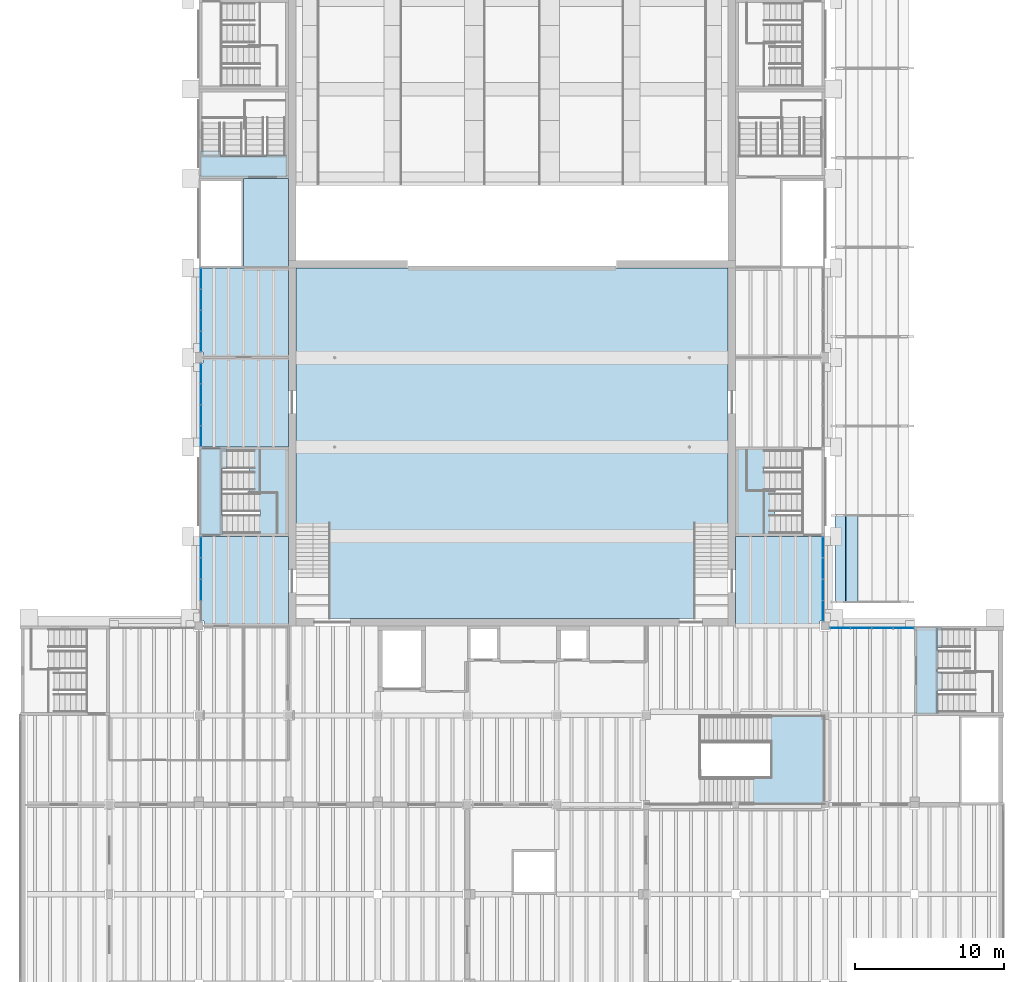
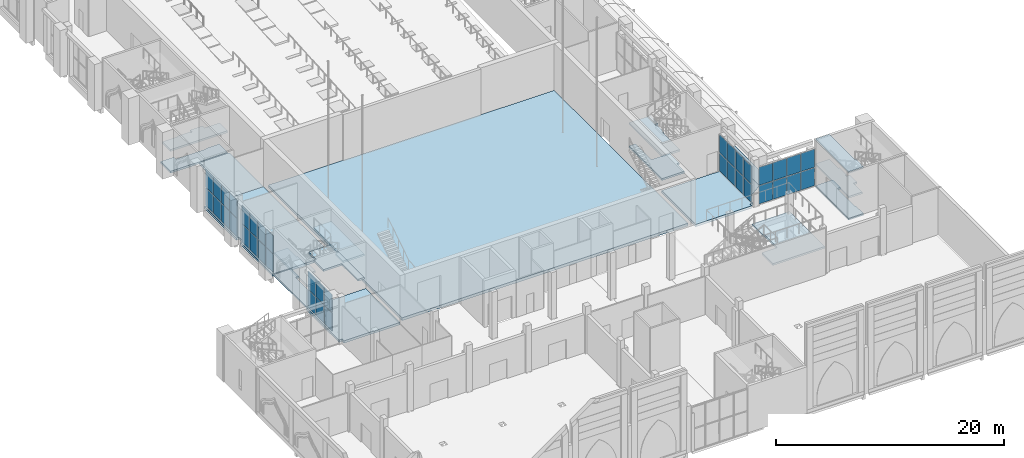
# One storey, part 30 of 80: 40 plates, 17 slabs, 10 elements without a shape of their own.
"""IFC4 building model written with IfcOpenShell, lengths in metres."""

from ifc_helpers import new_model, si_unit, direction, frame, origin, origin_2d, place, context, subcontext, project, spatial, polyline, rectangle, outline, extrude, material, layer, layer_set, type_object, element, aggregate, save


model = new_model("IFC4")

# Units and contexts
model_context = context("Model", 3, precision=1e-05, world=origin(), true_north=direction((0.0, 1.0)))
body_context = subcontext(model_context, "Body", "Model", "MODEL_VIEW")
ifc_project = project(units=[si_unit("LENGTHUNIT", "METRE"), si_unit("AREAUNIT", "SQUARE_METRE"), si_unit("VOLUMEUNIT", "CUBIC_METRE"), si_unit("PLANEANGLEUNIT", "RADIAN"), si_unit("MASSUNIT", "GRAM", prefix="KILO")], contexts=[model_context])

# Site, building, storey
site_placement = place(None, origin())
site = spatial("IfcSite", under=ifc_project, at=site_placement, CompositionType="ELEMENT")
building_placement = place(site_placement, origin())
building = spatial("IfcBuilding", under=site, at=building_placement, Name="Saffron Lane Theatres", CompositionType="ELEMENT")
storey_placement = place(building_placement, frame((0.0, 0.0, 7.0)))
storey = spatial("IfcBuildingStorey", under=building, at=storey_placement, Name="L01", CompositionType="ELEMENT", Elevation=7.0)

# Curtain wall, plates
ifc_material_1 = material(Name="Aluminium", Category="aluminium")
curtain_wall_type_1 = type_object("IfcCurtainWallType", Name="EX-CURTAIN WALL 5730x4050x160", PredefinedType="NOTDEFINED", material=ifc_material_1)
curtain_wall_1_placement = place(storey_placement, origin())
curtain_wall_1 = element("IfcCurtainWall", 1, at=curtain_wall_1_placement, inside=storey, type_object=curtain_wall_type_1, Name="Curtain wall L01 02", PredefinedType="NOTDEFINED")
ifc_material_2 = material(Name="Glass", Category="glass")
ifc_layer_1 = layer(ifc_material_2, 0.028076171875)
ifc_layer_set_1 = layer_set([ifc_layer_1], Name="Glass")
plate_type_1 = type_object("IfcPlateType", Name="EX-CW PANEL GLAZING 28", PredefinedType="CURTAIN_PANEL", material=ifc_layer_set_1)
plate_1_placement = place(storey_placement, frame((12.1298828125, 32.421875, 0.06005859375), z_axis=(0.0, 0.0, 1.0), x_axis=(0.0, 1.0, 0.0)))
plate_1 = element("IfcPlate", 2, at=plate_1_placement, type_object=plate_type_1, Name="CW-01-02 panel 2.1", PredefinedType="CURTAIN_PANEL", context=body_context, shape_type="SweptSolid", body=[
    extrude(rectangle(XDim=1.371337890625, YDim=0.028076171875, at=origin_2d()), origin(), (0.0, 0.0, 1.0), 1.934814453125),
])
plate_2_placement = place(storey_placement, frame((12.1298828125, 32.421875, 2.054931640625), z_axis=(0.0, 0.0, 1.0), x_axis=(0.0, 1.0, 0.0)))
plate_2 = element("IfcPlate", 3, at=plate_2_placement, type_object=plate_type_1, Name="CW-01-02 panel 2.2", PredefinedType="CURTAIN_PANEL", context=body_context, shape_type="SweptSolid", body=[
    extrude(rectangle(XDim=1.371337890625, YDim=0.028076171875, at=origin_2d()), origin(), (0.0, 0.0, 1.0), 1.93505859375),
])
plate_3_placement = place(storey_placement, frame((12.1298828125, 33.85302734375, 0.06005859375), z_axis=(0.0, 0.0, 1.0), x_axis=(0.0, 1.0, 0.0)))
plate_3 = element("IfcPlate", 4, at=plate_3_placement, type_object=plate_type_1, Name="CW-01-02 panel 3.1", PredefinedType="CURTAIN_PANEL", context=body_context, shape_type="SweptSolid", body=[
    extrude(rectangle(XDim=1.371337890625, YDim=0.028076171875, at=origin_2d()), origin(), (0.0, 0.0, 1.0), 1.934814453125),
])
plate_4_placement = place(storey_placement, frame((12.1298828125, 33.85302734375, 2.054931640625), z_axis=(0.0, 0.0, 1.0), x_axis=(0.0, 1.0, 0.0)))
plate_4 = element("IfcPlate", 5, at=plate_4_placement, type_object=plate_type_1, Name="CW-01-02 panel 3.2", PredefinedType="CURTAIN_PANEL", context=body_context, shape_type="SweptSolid", body=[
    extrude(rectangle(XDim=1.371337890625, YDim=0.028076171875, at=origin_2d()), origin(), (0.0, 0.0, 1.0), 1.93505859375),
])
plate_5_placement = place(storey_placement, frame((12.1298828125, 35.269287109375, 0.06005859375), z_axis=(0.0, 0.0, 1.0), x_axis=(0.0, 1.0, 0.0)))
plate_5 = element("IfcPlate", 6, at=plate_5_placement, type_object=plate_type_1, Name="CW-01-02 panel 4.1", PredefinedType="CURTAIN_PANEL", context=body_context, shape_type="SweptSolid", body=[
    extrude(rectangle(XDim=1.34130859375, YDim=0.028076171875, at=origin_2d()), origin(), (0.0, 0.0, 1.0), 1.934814453125),
])
plate_6_placement = place(storey_placement, frame((12.1298828125, 35.269287109375, 2.054931640625), z_axis=(0.0, 0.0, 1.0), x_axis=(0.0, 1.0, 0.0)))
plate_6 = element("IfcPlate", 7, at=plate_6_placement, type_object=plate_type_1, Name="CW-01-02 panel 4.2", PredefinedType="CURTAIN_PANEL", context=body_context, shape_type="SweptSolid", body=[
    extrude(rectangle(XDim=1.34130859375, YDim=0.028076171875, at=origin_2d()), origin(), (0.0, 0.0, 1.0), 1.93505859375),
])
aggregate(curtain_wall_1, [plate_1, plate_2, plate_3, plate_4, plate_5, plate_6])

ifc_material_3 = material(Name="Aluminium", Category="aluminium")
curtain_wall_type_2 = type_object("IfcCurtainWallType", Name="EX-CURTAIN WALL 5650x4050x160", PredefinedType="NOTDEFINED", material=ifc_material_3)
curtain_wall_2_placement = place(storey_placement, origin())
curtain_wall_2 = element("IfcCurtainWall", 8, at=curtain_wall_2_placement, inside=storey, type_object=curtain_wall_type_2, Name="Curtain wall L01 03", PredefinedType="NOTDEFINED")
plate_7_placement = place(storey_placement, frame((12.1298828125, 42.72119140625, 0.06005859375), z_axis=(0.0, 0.0, 1.0), x_axis=(0.0, 1.0, 0.0)))
plate_7 = element("IfcPlate", 9, at=plate_7_placement, type_object=plate_type_1, Name="CW-01-03 panel 1.1", PredefinedType="CURTAIN_PANEL", context=body_context, shape_type="SweptSolid", body=[
    extrude(rectangle(XDim=1.322509765625, YDim=0.028076171875, at=origin_2d()), origin(), (0.0, 0.0, 1.0), 1.934814453125),
])
plate_8_placement = place(storey_placement, frame((12.1298828125, 42.72119140625, 2.054931640625), z_axis=(0.0, 0.0, 1.0), x_axis=(0.0, 1.0, 0.0)))
plate_8 = element("IfcPlate", 10, at=plate_8_placement, type_object=plate_type_1, Name="CW-01-03 panel 1.2", PredefinedType="CURTAIN_PANEL", context=body_context, shape_type="SweptSolid", body=[
    extrude(rectangle(XDim=1.322509765625, YDim=0.028076171875, at=origin_2d()), origin(), (0.0, 0.0, 1.0), 1.93505859375),
])
plate_9_placement = place(storey_placement, frame((12.1298828125, 44.11865234375, 0.06005859375), z_axis=(0.0, 0.0, 1.0), x_axis=(0.0, 1.0, 0.0)))
plate_9 = element("IfcPlate", 11, at=plate_9_placement, type_object=plate_type_1, Name="CW-01-03 panel 2.1", PredefinedType="CURTAIN_PANEL", context=body_context, shape_type="SweptSolid", body=[
    extrude(rectangle(XDim=1.3525390625, YDim=0.028076171875, at=origin_2d()), origin(), (0.0, 0.0, 1.0), 1.934814453125),
])
plate_10_placement = place(storey_placement, frame((12.1298828125, 44.11865234375, 2.054931640625), z_axis=(0.0, 0.0, 1.0), x_axis=(0.0, 1.0, 0.0)))
plate_10 = element("IfcPlate", 12, at=plate_10_placement, type_object=plate_type_1, Name="CW-01-03 panel 2.2", PredefinedType="CURTAIN_PANEL", context=body_context, shape_type="SweptSolid", body=[
    extrude(rectangle(XDim=1.3525390625, YDim=0.028076171875, at=origin_2d()), origin(), (0.0, 0.0, 1.0), 1.93505859375),
])
plate_11_placement = place(storey_placement, frame((12.1298828125, 45.53125, 0.06005859375), z_axis=(0.0, 0.0, 1.0), x_axis=(0.0, 1.0, 0.0)))
plate_11 = element("IfcPlate", 13, at=plate_11_placement, type_object=plate_type_1, Name="CW-01-03 panel 3.1", PredefinedType="CURTAIN_PANEL", context=body_context, shape_type="SweptSolid", body=[
    extrude(rectangle(XDim=1.3525390625, YDim=0.028076171875, at=origin_2d()), origin(), (0.0, 0.0, 1.0), 1.934814453125),
])
plate_12_placement = place(storey_placement, frame((12.1298828125, 45.53125, 2.054931640625), z_axis=(0.0, 0.0, 1.0), x_axis=(0.0, 1.0, 0.0)))
plate_12 = element("IfcPlate", 14, at=plate_12_placement, type_object=plate_type_1, Name="CW-01-03 panel 3.2", PredefinedType="CURTAIN_PANEL", context=body_context, shape_type="SweptSolid", body=[
    extrude(rectangle(XDim=1.3525390625, YDim=0.028076171875, at=origin_2d()), origin(), (0.0, 0.0, 1.0), 1.93505859375),
])
plate_13_placement = place(storey_placement, frame((12.1298828125, 46.9287109375, 0.06005859375), z_axis=(0.0, 0.0, 1.0), x_axis=(0.0, 1.0, 0.0)))
plate_13 = element("IfcPlate", 15, at=plate_13_placement, type_object=plate_type_1, Name="CW-01-03 panel 4.1", PredefinedType="CURTAIN_PANEL", context=body_context, shape_type="SweptSolid", body=[
    extrude(rectangle(XDim=1.322509765625, YDim=0.028076171875, at=origin_2d()), origin(), (0.0, 0.0, 1.0), 1.934814453125),
])
plate_14_placement = place(storey_placement, frame((12.1298828125, 46.9287109375, 2.054931640625), z_axis=(0.0, 0.0, 1.0), x_axis=(0.0, 1.0, 0.0)))
plate_14 = element("IfcPlate", 16, at=plate_14_placement, type_object=plate_type_1, Name="CW-01-03 panel 4.2", PredefinedType="CURTAIN_PANEL", context=body_context, shape_type="SweptSolid", body=[
    extrude(rectangle(XDim=1.322509765625, YDim=0.028076171875, at=origin_2d()), origin(), (0.0, 0.0, 1.0), 1.93505859375),
])
aggregate(curtain_wall_2, [plate_7, plate_8, plate_9, plate_10, plate_11, plate_12, plate_13, plate_14])

curtain_wall_3_placement = place(storey_placement, origin())
curtain_wall_3 = element("IfcCurtainWall", 17, at=curtain_wall_3_placement, inside=storey, type_object=curtain_wall_type_2, Name="Curtain wall L01 04", PredefinedType="NOTDEFINED")
plate_15_placement = place(storey_placement, frame((12.1298828125, 49.0712890625, 0.06005859375), z_axis=(0.0, 0.0, 1.0), x_axis=(0.0, 1.0, 0.0)))
plate_15 = element("IfcPlate", 18, at=plate_15_placement, type_object=plate_type_1, Name="CW-01-04 panel 1.1", PredefinedType="CURTAIN_PANEL", context=body_context, shape_type="SweptSolid", body=[
    extrude(rectangle(XDim=1.322509765625, YDim=0.028076171875, at=origin_2d()), origin(), (0.0, 0.0, 1.0), 1.934814453125),
])
plate_16_placement = place(storey_placement, frame((12.1298828125, 49.0712890625, 2.054931640625), z_axis=(0.0, 0.0, 1.0), x_axis=(0.0, 1.0, 0.0)))
plate_16 = element("IfcPlate", 19, at=plate_16_placement, type_object=plate_type_1, Name="CW-01-04 panel 1.2", PredefinedType="CURTAIN_PANEL", context=body_context, shape_type="SweptSolid", body=[
    extrude(rectangle(XDim=1.322509765625, YDim=0.028076171875, at=origin_2d()), origin(), (0.0, 0.0, 1.0), 1.93505859375),
])
plate_17_placement = place(storey_placement, frame((12.1298828125, 50.46875, 0.06005859375), z_axis=(0.0, 0.0, 1.0), x_axis=(0.0, 1.0, 0.0)))
plate_17 = element("IfcPlate", 20, at=plate_17_placement, type_object=plate_type_1, Name="CW-01-04 panel 2.1", PredefinedType="CURTAIN_PANEL", context=body_context, shape_type="SweptSolid", body=[
    extrude(rectangle(XDim=1.3525390625, YDim=0.028076171875, at=origin_2d()), origin(), (0.0, 0.0, 1.0), 1.934814453125),
])
plate_18_placement = place(storey_placement, frame((12.1298828125, 50.46875, 2.054931640625), z_axis=(0.0, 0.0, 1.0), x_axis=(0.0, 1.0, 0.0)))
plate_18 = element("IfcPlate", 21, at=plate_18_placement, type_object=plate_type_1, Name="CW-01-04 panel 2.2", PredefinedType="CURTAIN_PANEL", context=body_context, shape_type="SweptSolid", body=[
    extrude(rectangle(XDim=1.3525390625, YDim=0.028076171875, at=origin_2d()), origin(), (0.0, 0.0, 1.0), 1.93505859375),
])
plate_19_placement = place(storey_placement, frame((12.1298828125, 51.88134765625, 0.06005859375), z_axis=(0.0, 0.0, 1.0), x_axis=(0.0, 1.0, 0.0)))
plate_19 = element("IfcPlate", 22, at=plate_19_placement, type_object=plate_type_1, Name="CW-01-04 panel 3.1", PredefinedType="CURTAIN_PANEL", context=body_context, shape_type="SweptSolid", body=[
    extrude(rectangle(XDim=1.3525390625, YDim=0.028076171875, at=origin_2d()), origin(), (0.0, 0.0, 1.0), 1.934814453125),
])
plate_20_placement = place(storey_placement, frame((12.1298828125, 51.88134765625, 2.054931640625), z_axis=(0.0, 0.0, 1.0), x_axis=(0.0, 1.0, 0.0)))
plate_20 = element("IfcPlate", 23, at=plate_20_placement, type_object=plate_type_1, Name="CW-01-04 panel 3.2", PredefinedType="CURTAIN_PANEL", context=body_context, shape_type="SweptSolid", body=[
    extrude(rectangle(XDim=1.3525390625, YDim=0.028076171875, at=origin_2d()), origin(), (0.0, 0.0, 1.0), 1.93505859375),
])
plate_21_placement = place(storey_placement, frame((12.1298828125, 53.27880859375, 0.06005859375), z_axis=(0.0, 0.0, 1.0), x_axis=(0.0, 1.0, 0.0)))
plate_21 = element("IfcPlate", 24, at=plate_21_placement, type_object=plate_type_1, Name="CW-01-04 panel 4.1", PredefinedType="CURTAIN_PANEL", context=body_context, shape_type="SweptSolid", body=[
    extrude(rectangle(XDim=1.322509765625, YDim=0.028076171875, at=origin_2d()), origin(), (0.0, 0.0, 1.0), 1.934814453125),
])
plate_22_placement = place(storey_placement, frame((12.1298828125, 53.27880859375, 2.054931640625), z_axis=(0.0, 0.0, 1.0), x_axis=(0.0, 1.0, 0.0)))
plate_22 = element("IfcPlate", 25, at=plate_22_placement, type_object=plate_type_1, Name="CW-01-04 panel 4.2", PredefinedType="CURTAIN_PANEL", context=body_context, shape_type="SweptSolid", body=[
    extrude(rectangle(XDim=1.322509765625, YDim=0.028076171875, at=origin_2d()), origin(), (0.0, 0.0, 1.0), 1.93505859375),
])
aggregate(curtain_wall_3, [plate_15, plate_16, plate_17, plate_18, plate_19, plate_20, plate_21, plate_22])

ifc_material_4 = material(Name="Aluminium", Category="aluminium")
curtain_wall_type_3 = type_object("IfcCurtainWallType", Name="EX-CURTAIN WALL 5720x4050x160", PredefinedType="NOTDEFINED", material=ifc_material_4)
curtain_wall_4_placement = place(storey_placement, origin())
curtain_wall_4 = element("IfcCurtainWall", 26, at=curtain_wall_4_placement, inside=storey, type_object=curtain_wall_type_3, Name="Curtain wall L01 15", PredefinedType="NOTDEFINED")
plate_23_placement = place(storey_placement, frame((53.8701171875, 35.269287109375, 0.06005859375), z_axis=(0.0, 0.0, 1.0), x_axis=(0.0, -1.0, 0.0)))
plate_23 = element("IfcPlate", 27, at=plate_23_placement, type_object=plate_type_1, Name="CW-01-15 panel 1.1", PredefinedType="CURTAIN_PANEL", context=body_context, shape_type="SweptSolid", body=[
    extrude(rectangle(XDim=1.34130859375, YDim=0.028076171875, at=origin_2d()), origin(), (0.0, 0.0, 1.0), 1.934814453125),
])
plate_24_placement = place(storey_placement, frame((53.8701171875, 35.269287109375, 2.054931640625), z_axis=(0.0, 0.0, 1.0), x_axis=(0.0, -1.0, 0.0)))
plate_24 = element("IfcPlate", 28, at=plate_24_placement, type_object=plate_type_1, Name="CW-01-15 panel 1.2", PredefinedType="CURTAIN_PANEL", context=body_context, shape_type="SweptSolid", body=[
    extrude(rectangle(XDim=1.34130859375, YDim=0.028076171875, at=origin_2d()), origin(), (0.0, 0.0, 1.0), 1.93505859375),
])
plate_25_placement = place(storey_placement, frame((53.8701171875, 33.85302734375, 0.06005859375), z_axis=(0.0, 0.0, 1.0), x_axis=(0.0, -1.0, 0.0)))
plate_25 = element("IfcPlate", 29, at=plate_25_placement, type_object=plate_type_1, Name="CW-01-15 panel 2.1", PredefinedType="CURTAIN_PANEL", context=body_context, shape_type="SweptSolid", body=[
    extrude(rectangle(XDim=1.371337890625, YDim=0.028076171875, at=origin_2d()), origin(), (0.0, 0.0, 1.0), 1.934814453125),
])
plate_26_placement = place(storey_placement, frame((53.8701171875, 33.85302734375, 2.054931640625), z_axis=(0.0, 0.0, 1.0), x_axis=(0.0, -1.0, 0.0)))
plate_26 = element("IfcPlate", 30, at=plate_26_placement, type_object=plate_type_1, Name="CW-01-15 panel 2.2", PredefinedType="CURTAIN_PANEL", context=body_context, shape_type="SweptSolid", body=[
    extrude(rectangle(XDim=1.371337890625, YDim=0.028076171875, at=origin_2d()), origin(), (0.0, 0.0, 1.0), 1.93505859375),
])
plate_27_placement = place(storey_placement, frame((53.8701171875, 32.421875, 0.06005859375), z_axis=(0.0, 0.0, 1.0), x_axis=(0.0, -1.0, 0.0)))
plate_27 = element("IfcPlate", 31, at=plate_27_placement, type_object=plate_type_1, Name="CW-01-15 panel 3.1", PredefinedType="CURTAIN_PANEL", context=body_context, shape_type="SweptSolid", body=[
    extrude(rectangle(XDim=1.371337890625, YDim=0.028076171875, at=origin_2d()), origin(), (0.0, 0.0, 1.0), 1.934814453125),
])
plate_28_placement = place(storey_placement, frame((53.8701171875, 32.421875, 2.054931640625), z_axis=(0.0, 0.0, 1.0), x_axis=(0.0, -1.0, 0.0)))
plate_28 = element("IfcPlate", 32, at=plate_28_placement, type_object=plate_type_1, Name="CW-01-15 panel 3.2", PredefinedType="CURTAIN_PANEL", context=body_context, shape_type="SweptSolid", body=[
    extrude(rectangle(XDim=1.371337890625, YDim=0.028076171875, at=origin_2d()), origin(), (0.0, 0.0, 1.0), 1.93505859375),
])
plate_29_placement = place(storey_placement, frame((53.8701171875, 31.005615234375, 0.06005859375), z_axis=(0.0, 0.0, 1.0), x_axis=(0.0, -1.0, 0.0)))
plate_29 = element("IfcPlate", 33, at=plate_29_placement, type_object=plate_type_1, Name="CW-01-15 panel 4.1", PredefinedType="CURTAIN_PANEL", context=body_context, shape_type="SweptSolid", body=[
    extrude(rectangle(XDim=1.34130859375, YDim=0.028076171875, at=origin_2d()), origin(), (0.0, 0.0, 1.0), 1.934814453125),
])
plate_30_placement = place(storey_placement, frame((53.8701171875, 31.005615234375, 2.054931640625), z_axis=(0.0, 0.0, 1.0), x_axis=(0.0, -1.0, 0.0)))
plate_30 = element("IfcPlate", 34, at=plate_30_placement, type_object=plate_type_1, Name="CW-01-15 panel 4.2", PredefinedType="CURTAIN_PANEL", context=body_context, shape_type="SweptSolid", body=[
    extrude(rectangle(XDim=1.34130859375, YDim=0.028076171875, at=origin_2d()), origin(), (0.0, 0.0, 1.0), 1.93505859375),
])
aggregate(curtain_wall_4, [plate_23, plate_24, plate_25, plate_26, plate_27, plate_28, plate_29, plate_30])

curtain_wall_5_placement = place(storey_placement, origin())
curtain_wall_5 = element("IfcCurtainWall", 35, at=curtain_wall_5_placement, inside=storey, type_object=curtain_wall_type_1, Name="Curtain wall L01 16", PredefinedType="NOTDEFINED")
plate_31_placement = place(storey_placement, frame((55.005615234375, 29.8701171875, 0.06005859375), z_axis=(0.0, 0.0, 1.0), x_axis=(1.0, 0.0, 0.0)))
plate_31 = element("IfcPlate", 36, at=plate_31_placement, type_object=plate_type_1, Name="CW-01-16 panel 1.1", PredefinedType="CURTAIN_PANEL", context=body_context, shape_type="SweptSolid", body=[
    extrude(rectangle(XDim=1.34130859375, YDim=0.028076171875, at=origin_2d()), origin(), (0.0, 0.0, 1.0), 1.934814453125),
])
plate_32_placement = place(storey_placement, frame((55.005615234375, 29.8701171875, 2.054931640625), z_axis=(0.0, 0.0, 1.0), x_axis=(1.0, 0.0, 0.0)))
plate_32 = element("IfcPlate", 37, at=plate_32_placement, type_object=plate_type_1, Name="CW-01-16 panel 1.2", PredefinedType="CURTAIN_PANEL", context=body_context, shape_type="SweptSolid", body=[
    extrude(rectangle(XDim=1.34130859375, YDim=0.028076171875, at=origin_2d()), origin(), (0.0, 0.0, 1.0), 1.93505859375),
])
plate_33_placement = place(storey_placement, frame((56.421875, 29.8701171875, 0.06005859375), z_axis=(0.0, 0.0, 1.0), x_axis=(1.0, 0.0, 0.0)))
plate_33 = element("IfcPlate", 38, at=plate_33_placement, type_object=plate_type_1, Name="CW-01-16 panel 2.1", PredefinedType="CURTAIN_PANEL", context=body_context, shape_type="SweptSolid", body=[
    extrude(rectangle(XDim=1.371337890625, YDim=0.028076171875, at=origin_2d()), origin(), (0.0, 0.0, 1.0), 1.934814453125),
])
plate_34_placement = place(storey_placement, frame((56.421875, 29.8701171875, 2.054931640625), z_axis=(0.0, 0.0, 1.0), x_axis=(1.0, 0.0, 0.0)))
plate_34 = element("IfcPlate", 39, at=plate_34_placement, type_object=plate_type_1, Name="CW-01-16 panel 2.2", PredefinedType="CURTAIN_PANEL", context=body_context, shape_type="SweptSolid", body=[
    extrude(rectangle(XDim=1.371337890625, YDim=0.028076171875, at=origin_2d()), origin(), (0.0, 0.0, 1.0), 1.93505859375),
])
plate_35_placement = place(storey_placement, frame((57.85302734375, 29.8701171875, 0.06005859375), z_axis=(0.0, 0.0, 1.0), x_axis=(1.0, 0.0, 0.0)))
plate_35 = element("IfcPlate", 40, at=plate_35_placement, type_object=plate_type_1, Name="CW-01-16 panel 3.1", PredefinedType="CURTAIN_PANEL", context=body_context, shape_type="SweptSolid", body=[
    extrude(rectangle(XDim=1.371337890625, YDim=0.028076171875, at=origin_2d()), origin(), (0.0, 0.0, 1.0), 1.934814453125),
])
plate_36_placement = place(storey_placement, frame((57.85302734375, 29.8701171875, 2.054931640625), z_axis=(0.0, 0.0, 1.0), x_axis=(1.0, 0.0, 0.0)))
plate_36 = element("IfcPlate", 41, at=plate_36_placement, type_object=plate_type_1, Name="CW-01-16 panel 3.2", PredefinedType="CURTAIN_PANEL", context=body_context, shape_type="SweptSolid", body=[
    extrude(rectangle(XDim=1.371337890625, YDim=0.028076171875, at=origin_2d()), origin(), (0.0, 0.0, 1.0), 1.93505859375),
])
plate_37_placement = place(storey_placement, frame((59.269287109375, 29.8701171875, 0.06005859375), z_axis=(0.0, 0.0, 1.0), x_axis=(1.0, 0.0, 0.0)))
plate_37 = element("IfcPlate", 42, at=plate_37_placement, type_object=plate_type_1, Name="CW-01-16 panel 4.1", PredefinedType="CURTAIN_PANEL", context=body_context, shape_type="SweptSolid", body=[
    extrude(rectangle(XDim=1.34130859375, YDim=0.028076171875, at=origin_2d()), origin(), (0.0, 0.0, 1.0), 1.934814453125),
])
plate_38_placement = place(storey_placement, frame((59.269287109375, 29.8701171875, 2.054931640625), z_axis=(0.0, 0.0, 1.0), x_axis=(1.0, 0.0, 0.0)))
plate_38 = element("IfcPlate", 43, at=plate_38_placement, type_object=plate_type_1, Name="CW-01-16 panel 4.2", PredefinedType="CURTAIN_PANEL", context=body_context, shape_type="SweptSolid", body=[
    extrude(rectangle(XDim=1.34130859375, YDim=0.028076171875, at=origin_2d()), origin(), (0.0, 0.0, 1.0), 1.93505859375),
])
aggregate(curtain_wall_5, [plate_31, plate_32, plate_33, plate_34, plate_35, plate_36, plate_37, plate_38])

# Slabs
ifc_material_5 = material(Name="Concrete N40 (40 MPa)", Category="concrete")
ifc_layer_2 = layer(ifc_material_5, 0.25)
ifc_layer_set_2 = layer_set([ifc_layer_2], Name="Concrete N40 (40 MPa)")
slab_type_1 = type_object("IfcSlabType", Name="RC-SLAB FLOOR 250", PredefinedType="FLOOR", material=ifc_layer_set_2)
slab_1_placement = place(storey_placement, frame((0.0, 0.0, -0.25)))
element("IfcSlab", 44, at=slab_1_placement, inside=storey, type_object=slab_type_1, Name="slab-L01-AUD-1", PredefinedType="FLOOR", context=body_context, shape_type="SweptSolid", body=[
    extrude(outline(polyline([(15.0, 60.0), (15.0, 54.0), (18.0, 54.0), (18.0, 54.5), (18.0, 60.0), (15.0, 60.0)])), origin(), (0.0, 0.0, 1.0), 0.25),
])
slab_2_placement = place(storey_placement, frame((0.0, 0.0, -0.25)))
element("IfcSlab", 45, at=slab_2_placement, inside=storey, type_object=slab_type_1, Name="slab-L01-STAGE-1", PredefinedType="FLOOR", context=body_context, shape_type="SweptSolid", body=[
    extrude(outline(polyline([(18.0, 36.0), (12.0, 36.0), (12.0, 30.326904296875), (12.326904296875, 30.326904296875), (12.326904296875, 30.0), (18.0, 30.0), (18.0, 36.0)])), origin(), (0.0, 0.0, 1.0), 0.25),
])
slab_3_placement = place(storey_placement, frame((0.0, 0.0, -0.25)))
element("IfcSlab", 46, at=slab_3_placement, inside=storey, type_object=slab_type_1, Name="slab-L01-STAGE-2", PredefinedType="FLOOR", context=body_context, shape_type="SweptSolid", body=[
    extrude(outline(polyline([(53.673095703125, 30.326904296875), (54.0, 30.326904296875), (54.0, 36.0), (48.0, 36.0), (48.0, 30.0), (53.673095703125, 30.0), (53.673095703125, 30.326904296875)])), origin(), (0.0, 0.0, 1.0), 0.25),
])
slab_4_placement = place(storey_placement, frame((0.0, 0.0, -0.25)))
element("IfcSlab", 47, at=slab_4_placement, inside=storey, type_object=slab_type_1, Name="slab-L01-STAGE-3", PredefinedType="FLOOR", context=body_context, shape_type="SweptSolid", body=[
    extrude(outline(polyline([(18.0, 42.0), (18.0, 54.0), (15.0, 54.0), (12.0, 54.0), (12.0, 48.376953125), (12.277099609375, 48.376953125), (12.277099609375, 47.623046875), (12.0, 47.623046875), (12.0, 42.0), (18.0, 42.0)])), origin(), (0.0, 0.0, 1.0), 0.25),
])
ifc_material_6 = material(Name="Concrete N40 (40 MPa)", Category="concrete")
ifc_layer_3 = layer(ifc_material_6, 0.300048828125)
ifc_layer_set_3 = layer_set([ifc_layer_3], Name="Concrete N40 (40 MPa)")
slab_type_2 = type_object("IfcSlabType", Name="RC-SLAB STAGE 300", PredefinedType="FLOOR", material=ifc_layer_set_3)
slab_5_placement = place(storey_placement, frame((0.0, 0.0, -0.300048828125)))
element("IfcSlab", 48, at=slab_5_placement, inside=storey, type_object=slab_type_2, Name="slab-L01-stage-floor", PredefinedType="FLOOR", context=body_context, shape_type="SweptSolid", body=[
    extrude(outline(polyline([(18.5, 30.5), (47.5, 30.5), (47.5, 54.0), (18.5, 54.0), (18.5, 30.5)])), origin(), (0.0, 0.0, 1.0), 0.300048828125),
])

# Plates
ifc_material_7 = material(Name="Laminated glass", Category="glass")
ifc_layer_4 = layer(ifc_material_7, 0.030029296875)
ifc_layer_set_4 = layer_set([ifc_layer_4], Name="Laminated glass")
plate_type_2 = type_object("IfcPlateType", Name="ST-CANOPY GLASS", PredefinedType="SHEET", material=ifc_layer_set_4)
plate_39_placement = place(storey_placement, frame((54.677978515625, 31.60009765625, -0.053466796875), z_axis=(-0.685681966938, 0.0, 0.727901257188), x_axis=(0.727901257188, 0.0, 0.685681966938)))
element("IfcPlate", 49, at=plate_39_placement, inside=storey, type_object=plate_type_2, Name="CG1-1", PredefinedType="SHEET", context=body_context, shape_type="SweptSolid", body=[
    extrude(outline(polyline([(0.0, 0.0), (0.9599248000335028, 0.0), (0.9599248000335028, 5.7998046875), (0.0, 5.7998046875), (0.0, 0.0)])), origin(), (0.0, 0.0, -1.0), 0.030029296875),
])
plate_40_placement = place(storey_placement, frame((55.376708984375, 31.60009765625, 0.604736328125), z_axis=(-0.517265239441, 0.0, 0.855825141058), x_axis=(0.855825141058, 0.0, 0.517265239441)))
element("IfcPlate", 50, at=plate_40_placement, inside=storey, type_object=plate_type_2, Name="CG1-2", PredefinedType="SHEET", context=body_context, shape_type="SweptSolid", body=[
    extrude(outline(polyline([(0.0, 0.0), (0.9713419111499698, 0.0), (0.9713419111499698, 5.799804687499999), (0.0, 5.799804687499999), (0.0, 0.0)])), origin(), (0.0, 0.0, -1.0), 0.030029296875),
])

# Stair, slabs
ifc_material_8 = material(Name="Concrete N40 (40 MPa)", Category="concrete")
stair_type_1 = type_object("IfcStairType", Name="VC-STAIR EXIT", PredefinedType="TWO_STRAIGHT_RUN_STAIR", material=ifc_material_8)
stair_1_placement = place(storey_placement, origin())
stair_1 = element("IfcStair", 51, at=stair_1_placement, inside=storey, type_object=stair_type_1, Name="Auditorium West Front Stair L01 to L02", PredefinedType="TWO_STRAIGHT_RUN_STAIR")
ifc_material_9 = material(Name="Concrete N40 (40 MPa)", Category="concrete")
ifc_layer_5 = layer(ifc_material_9, 0.199951171875)
ifc_layer_set_5 = layer_set([ifc_layer_5], Name="Concrete N40 (40 MPa)")
slab_type_3 = type_object("IfcSlabType", Name="VC-LANDING 200", PredefinedType="LANDING", material=ifc_layer_set_5)
slab_6_placement = place(storey_placement, frame((0.0, 0.0, -0.199951171875)))
slab_6 = element("IfcSlab", 52, at=slab_6_placement, type_object=slab_type_3, Name="ST14 landing 1", PredefinedType="LANDING", context=body_context, shape_type="SweptSolid", body=[
    extrude(outline(polyline([(17.89990234375, 61.5), (17.89990234375, 60.10009765625), (12.10009765625, 60.10009765625), (12.10009765625, 61.85009765625), (13.449951171875, 61.85009765625), (13.449951171875, 61.5), (16.550048828125, 61.5), (16.550048828125, 61.60009765625), (17.89990234375, 61.60009765625), (17.89990234375, 61.5), (17.89990234375, 61.5)])), origin(), (0.0, 0.0, 1.0), 0.199951171875),
])
slab_7_placement = place(storey_placement, frame((0.0, 0.0, 2.13330078125)))
slab_7 = element("IfcSlab", 53, at=slab_7_placement, type_object=slab_type_3, Name="ST14 landing 3", PredefinedType="LANDING", context=body_context, shape_type="SweptSolid", body=[
    extrude(outline(polyline([(17.89990234375, 61.5), (17.89990234375, 60.10009765625), (12.10009765625, 60.10009765625), (12.10009765625, 61.5), (13.64990234375, 61.5), (13.64990234375, 61.60009765625), (14.89990234375, 61.60009765625), (14.89990234375, 61.5), (15.10009765625, 61.5), (15.10009765625, 61.85009765625), (16.35009765625, 61.85009765625), (16.35009765625, 61.5), (17.89990234375, 61.5)])), origin(), (0.0, 0.0, 1.0), 0.199951171875),
])
aggregate(stair_1, [slab_6, slab_7])

stair_2_placement = place(storey_placement, origin())
stair_2 = element("IfcStair", 54, at=stair_2_placement, inside=storey, type_object=stair_type_1, Name="Stage West Stair L01 to L02", PredefinedType="TWO_STRAIGHT_RUN_STAIR")
slab_8_placement = place(storey_placement, frame((0.0, 0.0, -0.199951171875)))
slab_8 = element("IfcSlab", 55, at=slab_8_placement, type_object=slab_type_3, Name="ST20 landing 1", PredefinedType="LANDING", context=body_context, shape_type="SweptSolid", body=[
    extrude(outline(polyline([(12.10009765625, 36.10009765625), (12.10009765625, 41.89990234375), (13.85009765625, 41.89990234375), (13.85009765625, 40.550048828125), (13.5, 40.550048828125), (13.5, 37.449951171875), (13.60009765625, 37.449951171875), (13.60009765625, 36.10009765625), (13.5, 36.10009765625), (13.5, 36.10009765625), (12.10009765625, 36.10009765625)])), origin(), (0.0, 0.0, 1.0), 0.199951171875),
])
slab_9_placement = place(storey_placement, frame((0.0, 0.0, 0.966552734375)))
slab_9 = element("IfcSlab", 56, at=slab_9_placement, type_object=slab_type_3, Name="ST20 landing 2", PredefinedType="LANDING", context=body_context, shape_type="SweptSolid", body=[
    extrude(outline(polyline([(15.3701171875, 38.89990234375), (15.3701171875, 40.550048828125), (15.6201171875, 40.550048828125), (15.6201171875, 41.89990234375), (17.89990234375, 41.89990234375), (17.89990234375, 36.10009765625), (17.25, 36.10009765625), (17.25, 38.89990234375), (15.3701171875, 38.89990234375)])), origin(), (0.0, 0.0, 1.0), 0.2001953125),
])
slab_10_placement = place(storey_placement, frame((0.0, 0.0, 2.13330078125)))
slab_10 = element("IfcSlab", 57, at=slab_10_placement, type_object=slab_type_3, Name="ST20 landing 3", PredefinedType="LANDING", context=body_context, shape_type="SweptSolid", body=[
    extrude(outline(polyline([(13.5, 36.10009765625), (12.10009765625, 36.10009765625), (12.10009765625, 41.89990234375), (13.5, 41.89990234375), (13.5, 40.35009765625), (13.60009765625, 40.35009765625), (13.60009765625, 39.10009765625), (13.5, 39.10009765625), (13.5, 38.89990234375), (13.85009765625, 38.89990234375), (13.85009765625, 37.64990234375), (13.5, 37.64990234375), (13.5, 36.10009765625)])), origin(), (0.0, 0.0, 1.0), 0.199951171875),
])
slab_11_placement = place(storey_placement, frame((0.0, 0.0, 3.466552734375)))
slab_11 = element("IfcSlab", 58, at=slab_11_placement, type_object=slab_type_3, Name="ST20 landing 4", PredefinedType="LANDING", context=body_context, shape_type="SweptSolid", body=[
    extrude(outline(polyline([(16.090087890625, 37.449951171875), (16.090087890625, 37.64990234375), (15.989990234375, 37.64990234375), (15.989990234375, 38.89990234375), (16.090087890625, 38.89990234375), (16.090087890625, 41.89990234375), (17.89990234375, 41.89990234375), (17.89990234375, 36.10009765625), (15.739990234375, 36.10009765625), (15.739990234375, 37.449951171875), (16.090087890625, 37.449951171875)])), origin(), (0.0, 0.0, 1.0), 0.2001953125),
])
aggregate(stair_2, [slab_8, slab_9, slab_10, slab_11])

stair_3_placement = place(storey_placement, origin())
stair_3 = element("IfcStair", 59, at=stair_3_placement, inside=storey, type_object=stair_type_1, Name="Stage East Stair L01 to L02", PredefinedType="TWO_STRAIGHT_RUN_STAIR")
slab_12_placement = place(storey_placement, frame((0.0, 0.0, 0.966552734375)))
slab_12 = element("IfcSlab", 60, at=slab_12_placement, type_object=slab_type_3, Name="ST23 landing 2", PredefinedType="LANDING", context=body_context, shape_type="SweptSolid", body=[
    extrude(outline(polyline([(50.6298828125, 39.10009765625), (50.6298828125, 37.449951171875), (50.3798828125, 37.449951171875), (50.3798828125, 36.10009765625), (48.10009765625, 36.10009765625), (48.10009765625, 41.89990234375), (48.75, 41.89990234375), (48.75, 39.10009765625), (50.6298828125, 39.10009765625)])), origin(), (0.0, 0.0, 1.0), 0.2001953125),
])
slab_13_placement = place(storey_placement, frame((0.0, 0.0, 3.466552734375)))
slab_13 = element("IfcSlab", 61, at=slab_13_placement, type_object=slab_type_3, Name="ST23 landing 4", PredefinedType="LANDING", context=body_context, shape_type="SweptSolid", body=[
    extrude(outline(polyline([(49.909912109375, 40.550048828125), (49.909912109375, 40.35009765625), (50.010009765625, 40.35009765625), (50.010009765625, 39.10009765625), (49.909912109375, 39.10009765625), (49.909912109375, 36.10009765625), (48.10009765625, 36.10009765625), (48.10009765625, 41.89990234375), (50.260009765625, 41.89990234375), (50.260009765625, 40.550048828125), (49.909912109375, 40.550048828125)])), origin(), (0.0, 0.0, 1.0), 0.2001953125),
])
aggregate(stair_3, [slab_12, slab_13])

stair_4_placement = place(storey_placement, origin())
stair_4 = element("IfcStair", 62, at=stair_4_placement, inside=storey, type_object=stair_type_1, Name="Studio North Stair L01 to L02", PredefinedType="TWO_STRAIGHT_RUN_STAIR")
slab_14_placement = place(storey_placement, frame((0.0, 0.0, -0.199951171875)))
slab_14 = element("IfcSlab", 63, at=slab_14_placement, type_object=slab_type_3, Name="ST32 landing 1", PredefinedType="LANDING", context=body_context, shape_type="SweptSolid", body=[
    extrude(outline(polyline([(61.5, 24.10009765625), (60.10009765625, 24.10009765625), (60.10009765625, 29.89990234375), (61.85009765625, 29.89990234375), (61.85009765625, 28.550048828125), (61.5, 28.550048828125), (61.5, 25.449951171875), (61.60009765625, 25.449951171875), (61.60009765625, 24.10009765625), (61.5, 24.10009765625), (61.5, 24.10009765625)])), origin(), (0.0, 0.0, 1.0), 0.199951171875),
])
slab_15_placement = place(storey_placement, frame((0.0, 0.0, 2.13330078125)))
slab_15 = element("IfcSlab", 64, at=slab_15_placement, type_object=slab_type_3, Name="ST32 landing 3", PredefinedType="LANDING", context=body_context, shape_type="SweptSolid", body=[
    extrude(outline(polyline([(61.5, 24.10009765625), (60.10009765625, 24.10009765625), (60.10009765625, 29.89990234375), (61.5, 29.89990234375), (61.5, 28.35009765625), (61.60009765625, 28.35009765625), (61.60009765625, 27.10009765625), (61.5, 27.10009765625), (61.5, 26.89990234375), (61.85009765625, 26.89990234375), (61.85009765625, 25.64990234375), (61.5, 25.64990234375), (61.5, 24.10009765625)])), origin(), (0.0, 0.0, 1.0), 0.199951171875),
])
slab_16_placement = place(storey_placement, frame((0.0, 0.0, 4.800048828125)))
slab_16 = element("IfcSlab", 65, at=slab_16_placement, type_object=slab_type_3, Name="ST32 landing 5", PredefinedType="LANDING", context=body_context, shape_type="SweptSolid", body=[
    extrude(outline(polyline([(61.5, 24.10009765625), (60.10009765625, 24.10009765625), (60.10009765625, 29.89990234375), (61.5, 29.89990234375), (61.5, 25.449951171875), (61.60009765625, 25.449951171875), (61.60009765625, 24.10009765625), (61.5, 24.10009765625), (61.5, 24.10009765625)])), origin(), (0.0, 0.0, 1.0), 0.199951171875),
])
aggregate(stair_4, [slab_14, slab_15, slab_16])

# Stair, slab
ifc_material_10 = material(Name="Concrete N40 (40 MPa)", Category="concrete")
stair_type_2 = type_object("IfcStairType", Name="VC-STAIR FOYER", PredefinedType="TWO_STRAIGHT_RUN_STAIR", material=ifc_material_10)
stair_5_placement = place(storey_placement, origin())
stair_5 = element("IfcStair", 66, at=stair_5_placement, inside=storey, type_object=stair_type_2, Name="Studio Foyer Stair L01 to L02", PredefinedType="TWO_STRAIGHT_RUN_STAIR")
slab_17_placement = place(storey_placement, frame((0.0, 0.0, 2.63330078125)))
slab_17 = element("IfcSlab", 67, at=slab_17_placement, type_object=slab_type_3, Name="ST41 landing 2", PredefinedType="LANDING", context=body_context, shape_type="SweptSolid", body=[
    extrude(outline(polyline([(48.85009765625, 19.85009765625), (50.39990234375, 19.85009765625), (50.39990234375, 22.14990234375), (50.300048828125, 22.14990234375), (50.300048828125, 24.10009765625), (54.10009765625, 24.10009765625), (54.10009765625, 17.89990234375), (48.85009765625, 17.89990234375), (48.85009765625, 19.85009765625)])), origin(), (0.0, 0.0, 1.0), 0.199951171875),
])
aggregate(stair_5, [slab_17])

save(model, "model.ifc")
